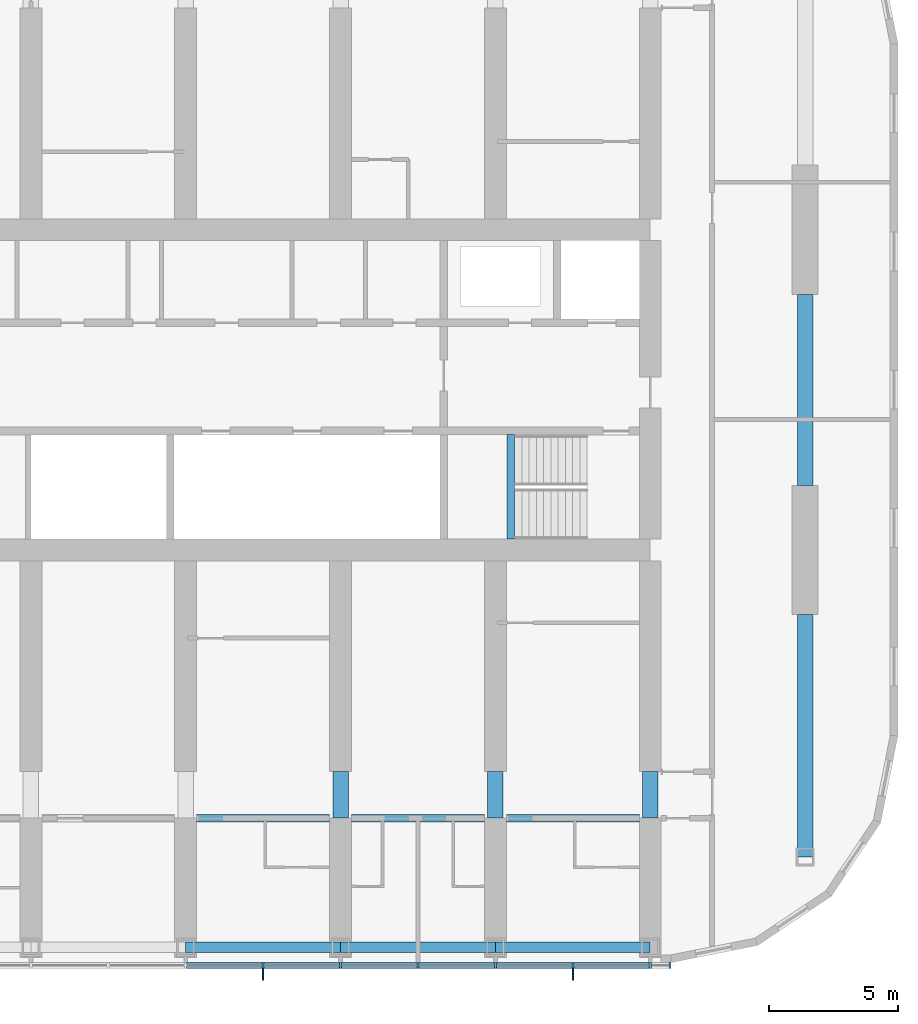
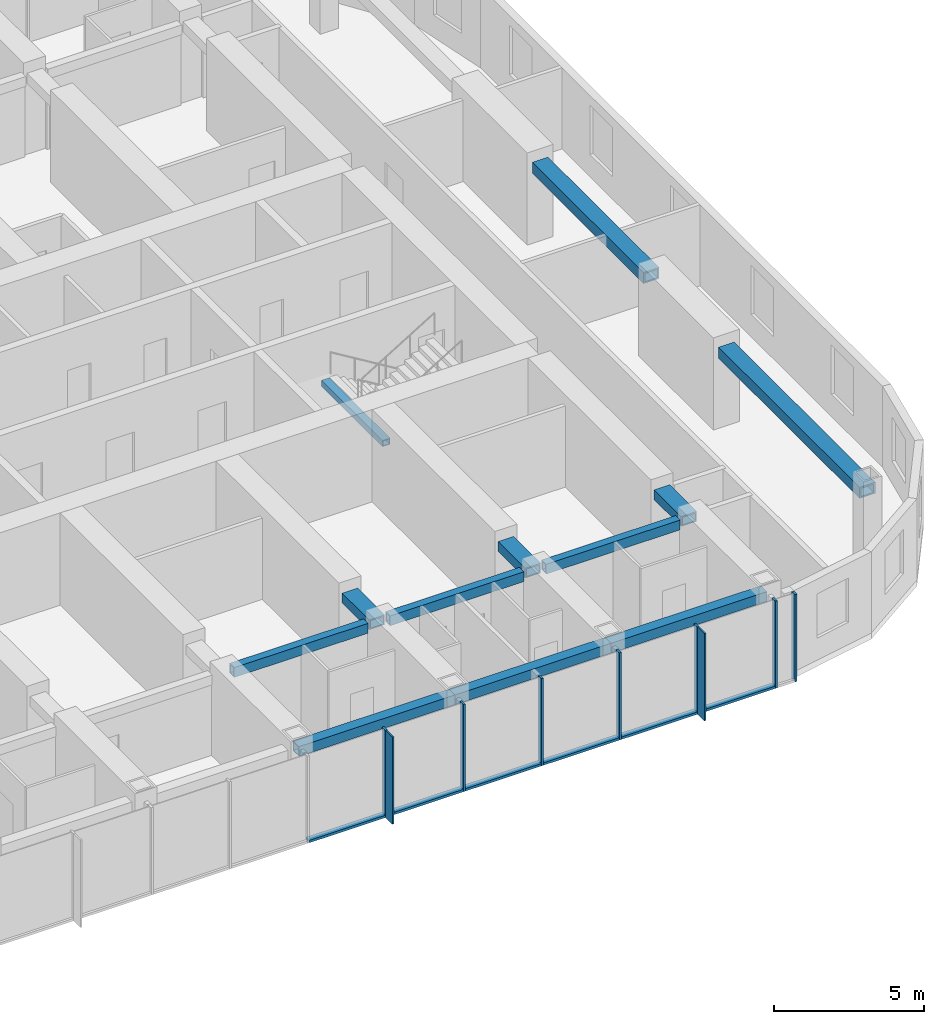
# One storey, part 3 of 22: 15 members, 12 beams, 1 element without a shape of its own.
"""IFC4 building model written with IfcOpenShell, lengths in metres."""

from ifc_helpers import new_model, si_unit, direction, frame, origin, origin_2d, place, context, subcontext, project, spatial, rectangle, hollow_rectangle, extrude, material, material_profile, profile_set, type_object, element, aggregate, save


model = new_model("IFC4")

# Units and contexts
model_context = context("Model", 3, precision=1e-05, world=origin(), true_north=direction((0.0, 1.0)))
body_context = subcontext(model_context, "Body", "Model", "MODEL_VIEW")
ifc_project = project(units=[si_unit("LENGTHUNIT", "METRE"), si_unit("AREAUNIT", "SQUARE_METRE"), si_unit("VOLUMEUNIT", "CUBIC_METRE"), si_unit("PLANEANGLEUNIT", "RADIAN"), si_unit("MASSUNIT", "GRAM", prefix="KILO")], contexts=[model_context])

# Site, building, storey
site_placement = place(None, origin())
site = spatial("IfcSite", under=ifc_project, at=site_placement, CompositionType="ELEMENT")
building_placement = place(site_placement, origin())
building = spatial("IfcBuilding", under=site, at=building_placement, Name="Orbita Commons", CompositionType="ELEMENT")
storey_placement = place(building_placement, frame((0.0, 0.0, 189.85009765625)))
storey = spatial("IfcBuildingStorey", under=building, at=storey_placement, Name="L47", CompositionType="ELEMENT", Elevation=189.85009765625)

# Curtain wall, members
ifc_material_1 = material(Name="Anodised aluminium frame, pale silver", Category="aluminium")
curtain_wall_type = type_object("IfcCurtainWallType", Name="Unitised curtain wall CW-U, full-height vision", PredefinedType="NOTDEFINED", material=ifc_material_1)
curtain_wall_placement = place(storey_placement, origin())
curtain_wall = element("IfcCurtainWall", 1, at=curtain_wall_placement, inside=storey, type_object=curtain_wall_type, Name="Curtain wall south L47", PredefinedType="NOTDEFINED")
ifc_material_2 = material(Name="Anodised aluminium, pale silver", Category="aluminium")
ifc_material_profile_1 = material_profile(ifc_material_2, rectangle(XDim=0.080078125, YDim=0.219970703125, at=origin_2d()), Name="AL 80x220")
ifc_profile_set_1 = profile_set([ifc_material_profile_1], Name="Anodised aluminium, pale silver")
member_type_1 = type_object("IfcMemberType", Name="Curtain wall mullion 80x220", PredefinedType="MULLION", material=ifc_profile_set_1)
member_1_placement = place(storey_placement, frame((51.0, 9.68994140625, -0.25), z_axis=(0.0, 0.0, 1.0), x_axis=(1.0, 0.0, 0.0)))
member_1 = element("IfcMember", 2, at=member_1_placement, type_object=member_type_1, Name="Mullion 13 CW-L47-S", PredefinedType="MULLION", context=body_context, shape_type="SweptSolid", body=[
    extrude(rectangle(XDim=0.080078125, YDim=0.219970703125, at=origin_2d()), origin(), (0.0, 0.0, 1.0), 3.5498046875),
])
member_2_placement = place(storey_placement, frame((54.0, 9.68994140625, -0.25), z_axis=(0.0, 0.0, 1.0), x_axis=(1.0, 0.0, 0.0)))
member_2 = element("IfcMember", 3, at=member_2_placement, type_object=member_type_1, Name="Mullion 14 CW-L47-S", PredefinedType="MULLION", context=body_context, shape_type="SweptSolid", body=[
    extrude(rectangle(XDim=0.080078125, YDim=0.219970703125, at=origin_2d()), origin(), (0.0, 0.0, 1.0), 3.5498046875),
])
member_3_placement = place(storey_placement, frame((57.0, 9.68994140625, -0.25), z_axis=(0.0, 0.0, 1.0), x_axis=(1.0, 0.0, 0.0)))
member_3 = element("IfcMember", 4, at=member_3_placement, type_object=member_type_1, Name="Mullion 15 CW-L47-S", PredefinedType="MULLION", context=body_context, shape_type="SweptSolid", body=[
    extrude(rectangle(XDim=0.080078125, YDim=0.219970703125, at=origin_2d()), origin(), (0.0, 0.0, 1.0), 3.5498046875),
])
member_4_placement = place(storey_placement, frame((60.0, 9.68994140625, -0.25), z_axis=(0.0, 0.0, 1.0), x_axis=(1.0, 0.0, 0.0)))
member_4 = element("IfcMember", 5, at=member_4_placement, type_object=member_type_1, Name="Mullion 16 CW-L47-S", PredefinedType="MULLION", context=body_context, shape_type="SweptSolid", body=[
    extrude(rectangle(XDim=0.080078125, YDim=0.219970703125, at=origin_2d()), origin(), (0.0, 0.0, 1.0), 3.5498046875),
])
member_5_placement = place(storey_placement, frame((63.0, 9.68994140625, -0.25), z_axis=(0.0, 0.0, 1.0), x_axis=(1.0, 0.0, 0.0)))
member_5 = element("IfcMember", 6, at=member_5_placement, type_object=member_type_1, Name="Mullion 17 CW-L47-S", PredefinedType="MULLION", context=body_context, shape_type="SweptSolid", body=[
    extrude(rectangle(XDim=0.080078125, YDim=0.219970703125, at=origin_2d()), origin(), (0.0, 0.0, 1.0), 3.5498046875),
])
member_6_placement = place(storey_placement, frame((66.0, 9.68994140625, -0.25), z_axis=(0.0, 0.0, 1.0), x_axis=(1.0, 0.0, 0.0)))
member_6 = element("IfcMember", 7, at=member_6_placement, type_object=member_type_1, Name="Mullion 18 CW-L47-S", PredefinedType="MULLION", context=body_context, shape_type="SweptSolid", body=[
    extrude(rectangle(XDim=0.080078125, YDim=0.219970703125, at=origin_2d()), origin(), (0.0, 0.0, 1.0), 3.5498046875),
])
member_7_placement = place(storey_placement, frame((66.760009765625, 9.68994140625, -0.25), z_axis=(0.0, 0.0, 1.0), x_axis=(1.0, 0.0, 0.0)))
member_7 = element("IfcMember", 8, at=member_7_placement, type_object=member_type_1, Name="Mullion 19 CW-L47-S", PredefinedType="MULLION", context=body_context, shape_type="SweptSolid", body=[
    extrude(rectangle(XDim=0.080078125, YDim=0.219970703125, at=origin_2d()), origin(), (0.0, 0.0, 1.0), 3.5498046875),
])
ifc_material_3 = material(Name="Anodised aluminium, pale silver", Category="aluminium")
ifc_material_profile_2 = material_profile(ifc_material_3, rectangle(XDim=0.219970703125, YDim=0.10009765625, at=origin_2d()), Name="AL 220x100")
ifc_profile_set_2 = profile_set([ifc_material_profile_2], Name="Anodised aluminium, pale silver")
member_type_2 = type_object("IfcMemberType", Name="Curtain wall stack transom 220x100", PredefinedType="USERDEFINED", material=ifc_profile_set_2)
member_8_placement = place(storey_placement, frame((48.0400390625, 9.68994140625, -0.2001953125), z_axis=(1.0, 0.0, 0.0), x_axis=(0.0, 1.0, 0.0)))
member_8 = element("IfcMember", 9, at=member_8_placement, type_object=member_type_2, Name="Transom 12.1 CW-L47-S", ObjectType="TRANSOM", PredefinedType="USERDEFINED", context=body_context, shape_type="SweptSolid", body=[
    extrude(rectangle(XDim=0.219970703125, YDim=0.10009765625, at=origin_2d()), origin(), (0.0, 0.0, 1.0), 2.919921875),
])
member_9_placement = place(storey_placement, frame((51.0400390625, 9.68994140625, -0.2001953125), z_axis=(1.0, 0.0, 0.0), x_axis=(0.0, 1.0, 0.0)))
member_9 = element("IfcMember", 10, at=member_9_placement, type_object=member_type_2, Name="Transom 13.1 CW-L47-S", ObjectType="TRANSOM", PredefinedType="USERDEFINED", context=body_context, shape_type="SweptSolid", body=[
    extrude(rectangle(XDim=0.219970703125, YDim=0.10009765625, at=origin_2d()), origin(), (0.0, 0.0, 1.0), 2.919921875),
])
member_10_placement = place(storey_placement, frame((54.0400390625, 9.68994140625, -0.2001953125), z_axis=(1.0, 0.0, 0.0), x_axis=(0.0, 1.0, 0.0)))
member_10 = element("IfcMember", 11, at=member_10_placement, type_object=member_type_2, Name="Transom 14.1 CW-L47-S", ObjectType="TRANSOM", PredefinedType="USERDEFINED", context=body_context, shape_type="SweptSolid", body=[
    extrude(rectangle(XDim=0.219970703125, YDim=0.10009765625, at=origin_2d()), origin(), (0.0, 0.0, 1.0), 2.919921875),
])
member_11_placement = place(storey_placement, frame((57.0400390625, 9.68994140625, -0.2001953125), z_axis=(1.0, 0.0, 0.0), x_axis=(0.0, 1.0, 0.0)))
member_11 = element("IfcMember", 12, at=member_11_placement, type_object=member_type_2, Name="Transom 15.1 CW-L47-S", ObjectType="TRANSOM", PredefinedType="USERDEFINED", context=body_context, shape_type="SweptSolid", body=[
    extrude(rectangle(XDim=0.219970703125, YDim=0.10009765625, at=origin_2d()), origin(), (0.0, 0.0, 1.0), 2.919921875),
])
member_12_placement = place(storey_placement, frame((60.0400390625, 9.68994140625, -0.2001953125), z_axis=(1.0, 0.0, 0.0), x_axis=(0.0, 1.0, 0.0)))
member_12 = element("IfcMember", 13, at=member_12_placement, type_object=member_type_2, Name="Transom 16.1 CW-L47-S", ObjectType="TRANSOM", PredefinedType="USERDEFINED", context=body_context, shape_type="SweptSolid", body=[
    extrude(rectangle(XDim=0.219970703125, YDim=0.10009765625, at=origin_2d()), origin(), (0.0, 0.0, 1.0), 2.919921875),
])
member_13_placement = place(storey_placement, frame((63.0400390625, 9.68994140625, -0.2001953125), z_axis=(1.0, 0.0, 0.0), x_axis=(0.0, 1.0, 0.0)))
member_13 = element("IfcMember", 14, at=member_13_placement, type_object=member_type_2, Name="Transom 17.1 CW-L47-S", ObjectType="TRANSOM", PredefinedType="USERDEFINED", context=body_context, shape_type="SweptSolid", body=[
    extrude(rectangle(XDim=0.219970703125, YDim=0.10009765625, at=origin_2d()), origin(), (0.0, 0.0, 1.0), 2.919921875),
])

# Beams
ifc_material_4 = material(Name="Steel ASTM A572 Gr 50 welded plate", Category="steel")
ifc_material_profile_3 = material_profile(ifc_material_4, hollow_rectangle(XDim=0.300048828125, YDim=0.25, WallThickness=0.02490234375, at=origin_2d()), Name="BOX 250x300x25")
ifc_profile_set_3 = profile_set([ifc_material_profile_3], Name="Steel ASTM A572 Gr 50 welded plate")
beam_type_1 = type_object("IfcBeamType", Name="Stair landing beam steel BOX 250x300x25", PredefinedType="BEAM", material=ifc_profile_set_3)
beam_1_placement = place(storey_placement, frame((60.60009765625, 26.2099609375, 1.5498046875), z_axis=(0.0, 1.0, 0.0), x_axis=(-1.0, 0.0, 0.0)))
element("IfcBeam", 15, at=beam_1_placement, inside=storey, type_object=beam_type_1, Name="Stair S2 landing beam L47 1", PredefinedType="BEAM", context=body_context, shape_type="SweptSolid", body=[
    extrude(hollow_rectangle(XDim=0.300048828125, YDim=0.25, WallThickness=0.02490234375, at=origin_2d()), origin(), (0.0, 0.0, 1.0), 4.054931640625),
])
ifc_material_5 = material(Name="Steel ASTM A572 Gr 50 welded plate", Category="steel")
ifc_material_profile_4 = material_profile(ifc_material_5, hollow_rectangle(XDim=0.300048828125, YDim=0.39990234375, WallThickness=0.0400390625, at=origin_2d()), Name="BOX 400x300x40")
ifc_profile_set_4 = profile_set([ifc_material_profile_4], Name="Steel ASTM A572 Gr 50 welded plate")
beam_type_2 = type_object("IfcBeamType", Name="Steel corridor link BOX 400x300x40", PredefinedType="BEAM", material=ifc_profile_set_4)
for number, where, z_axis, x_axis, name in (
    (16, (48.425048828125, 15.39990234375, 3.099853515625), (1.0, 0.0, 0.0), (0.0, 1.0, 0.0), "Corridor beam SA 9-10 L47"),
    (17, (54.425048828125, 15.39990234375, 3.099853515625), (1.0, 0.0, 0.0), (0.0, 1.0, 0.0), "Corridor beam SA 10-11 L47"),
    (18, (60.425048828125, 15.39990234375, 3.099853515625), (1.0, 0.0, 0.0), (0.0, 1.0, 0.0), "Corridor beam SA 11-12 L47"),
):
    element("IfcBeam", number, at=place(storey_placement, frame(where, z_axis=z_axis, x_axis=x_axis)), inside=storey, type_object=beam_type_2, Name=name, PredefinedType="BEAM", context=body_context, shape_type="SweptSolid", body=[
        extrude(hollow_rectangle(XDim=0.300048828125, YDim=0.39990234375, WallThickness=0.0400390625, at=origin_2d()), origin(), (0.0, 0.0, 1.0), 5.14990234375),
    ])
ifc_material_6 = material(Name="Steel ASTM A572 Gr 50 welded plate", Category="steel")
ifc_material_profile_5 = material_profile(ifc_material_6, hollow_rectangle(XDim=0.60009765625, YDim=0.39990234375, WallThickness=0.050048828125, at=origin_2d()), Name="BOX 400x600x50")
ifc_profile_set_5 = profile_set([ifc_material_profile_5], Name="Steel ASTM A572 Gr 50 welded plate")
beam_type_3 = type_object("IfcBeamType", Name="Steel coupling link BOX 400x600x50", PredefinedType="LINTEL", material=ifc_profile_set_5)
for number, where, z_axis, x_axis, name in (
    (19, (54.0, 15.39990234375, 3.099853515625), (0.0, 1.0, 0.0), (-1.0, 0.0, 0.0), "Coupling beam 10 south L47"),
    (20, (60.0, 15.39990234375, 3.099853515625), (0.0, 1.0, 0.0), (-1.0, 0.0, 0.0), "Coupling beam 11 south L47"),
    (21, (66.0, 15.39990234375, 3.099853515625), (0.0, 1.0, 0.0), (-1.0, 0.0, 0.0), "Coupling beam 12 south L47"),
):
    element("IfcBeam", number, at=place(storey_placement, frame(where, z_axis=z_axis, x_axis=x_axis)), inside=storey, type_object=beam_type_3, Name=name, PredefinedType="LINTEL", context=body_context, shape_type="SweptSolid", body=[
        extrude(hollow_rectangle(XDim=0.60009765625, YDim=0.39990234375, WallThickness=0.050048828125, at=origin_2d()), origin(), (0.0, 0.0, 1.0), 1.800048828125),
    ])
ifc_material_7 = material(Name="Steel ASTM A572 Gr 50 welded plate", Category="steel")
ifc_material_profile_6 = material_profile(ifc_material_7, hollow_rectangle(XDim=0.60009765625, YDim=0.449951171875, WallThickness=0.06005859375, at=origin_2d()), Name="BOX 450x600x60")
ifc_profile_set_6 = profile_set([ifc_material_profile_6], Name="Steel ASTM A572 Gr 50 welded plate")
beam_type_4 = type_object("IfcBeamType", Name="Steel end frame link BOX 450x600x60", PredefinedType="BEAM", material=ifc_profile_set_6)
beam_2_placement = place(storey_placement, frame((72.0, 13.89990234375, 3.074951171875), z_axis=(0.0, 1.0, 0.0), x_axis=(-1.0, 0.0, 0.0)))
element("IfcBeam", 22, at=beam_2_placement, inside=storey, type_object=beam_type_4, Name="End frame beam 13 B-C L47", PredefinedType="BEAM", context=body_context, shape_type="SweptSolid", body=[
    extrude(hollow_rectangle(XDim=0.60009765625, YDim=0.449951171875, WallThickness=0.06005859375, at=origin_2d()), origin(), (0.0, 0.0, 1.0), 9.400146484375),
])
beam_3_placement = place(storey_placement, frame((72.0, 28.300048828125, 3.074951171875), z_axis=(0.0, 1.0, 0.0), x_axis=(-1.0, 0.0, 0.0)))
element("IfcBeam", 23, at=beam_3_placement, inside=storey, type_object=beam_type_4, Name="End frame beam 13 C-D L47", PredefinedType="BEAM", context=body_context, shape_type="SweptSolid", body=[
    extrude(hollow_rectangle(XDim=0.60009765625, YDim=0.449951171875, WallThickness=0.06005859375, at=origin_2d()), origin(), (0.0, 0.0, 1.0), 7.39990234375),
])
ifc_material_8 = material(Name="Steel ASTM A572 Gr 50 welded plate", Category="steel")
ifc_material_profile_7 = material_profile(ifc_material_8, hollow_rectangle(XDim=0.39990234375, YDim=0.39990234375, WallThickness=0.0400390625, at=origin_2d()), Name="BOX 400x400x40")
ifc_profile_set_7 = profile_set([ifc_material_profile_7], Name="Steel ASTM A572 Gr 50 welded plate")
beam_type_5 = type_object("IfcBeamType", Name="Steel spandrel BOX 400x400x40", PredefinedType="SPANDREL", material=ifc_profile_set_7)
for number, where, z_axis, x_axis, name in (
    (24, (48.0, 10.39990234375, 3.099853515625), (1.0, 0.0, 0.0), (0.0, 1.0, 0.0), "Spandrel beam B 9-10 L47"),
    (25, (54.0, 10.39990234375, 3.099853515625), (1.0, 0.0, 0.0), (0.0, 1.0, 0.0), "Spandrel beam B 10-11 L47"),
    (26, (60.0, 10.39990234375, 3.099853515625), (1.0, 0.0, 0.0), (0.0, 1.0, 0.0), "Spandrel beam B 11-12 L47"),
):
    element("IfcBeam", number, at=place(storey_placement, frame(where, z_axis=z_axis, x_axis=x_axis)), inside=storey, type_object=beam_type_5, Name=name, PredefinedType="SPANDREL", context=body_context, shape_type="SweptSolid", body=[
        extrude(hollow_rectangle(XDim=0.39990234375, YDim=0.39990234375, WallThickness=0.0400390625, at=origin_2d()), origin(), (0.0, 0.0, 1.0), 6.0),
    ])

# Member
ifc_material_9 = material(Name="Anodised aluminium, pale silver", Category="aluminium")
ifc_material_profile_8 = material_profile(ifc_material_9, rectangle(XDim=0.06005859375, YDim=0.449951171875, at=origin_2d()), Name="FIN 60x450")
ifc_profile_set_8 = profile_set([ifc_material_profile_8], Name="Anodised aluminium, pale silver")
member_type_3 = type_object("IfcMemberType", Name="Vertical fin 60x450 pale aluminium", PredefinedType="USERDEFINED", material=ifc_profile_set_8)
member_14_placement = place(storey_placement, frame((51.0, 9.35498046875, -0.25), z_axis=(0.0, 0.0, 1.0), x_axis=(1.0, 0.0, 0.0)))
member_14 = element("IfcMember", 27, at=member_14_placement, type_object=member_type_3, Name="Fin 13 CW-L47-S", ObjectType="FIN", PredefinedType="USERDEFINED", context=body_context, shape_type="SweptSolid", body=[
    extrude(rectangle(XDim=0.06005859375, YDim=0.449951171875, at=origin_2d()), origin(), (0.0, 0.0, 1.0), 3.5498046875),
])

member_15_placement = place(storey_placement, frame((63.0, 9.35498046875, -0.25), z_axis=(0.0, 0.0, 1.0), x_axis=(1.0, 0.0, 0.0)))
member_15 = element("IfcMember", 28, at=member_15_placement, type_object=member_type_3, Name="Fin 17 CW-L47-S", ObjectType="FIN", PredefinedType="USERDEFINED", context=body_context, shape_type="SweptSolid", body=[
    extrude(rectangle(XDim=0.06005859375, YDim=0.449951171875, at=origin_2d()), origin(), (0.0, 0.0, 1.0), 3.5498046875),
])

aggregate(curtain_wall, [member_1, member_14, member_2, member_3, member_4, member_5, member_15, member_6, member_7, member_8, member_9, member_10, member_11, member_12, member_13])

save(model, "model.ifc")
